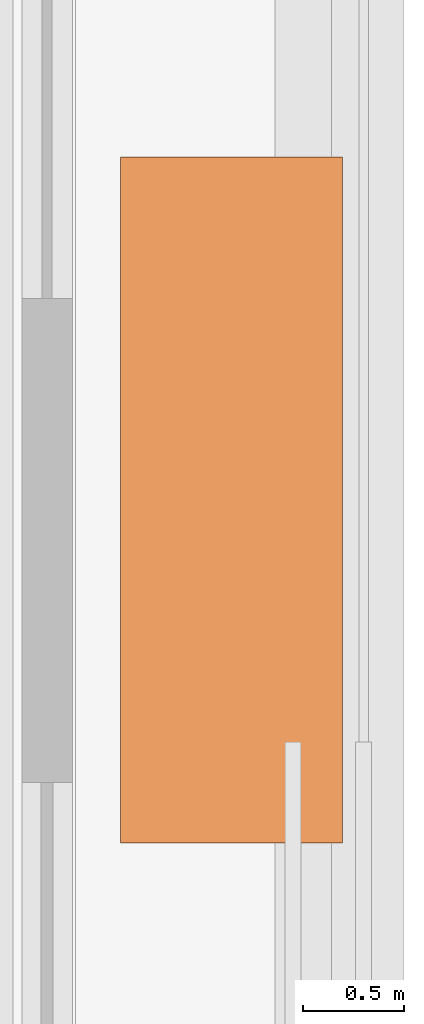
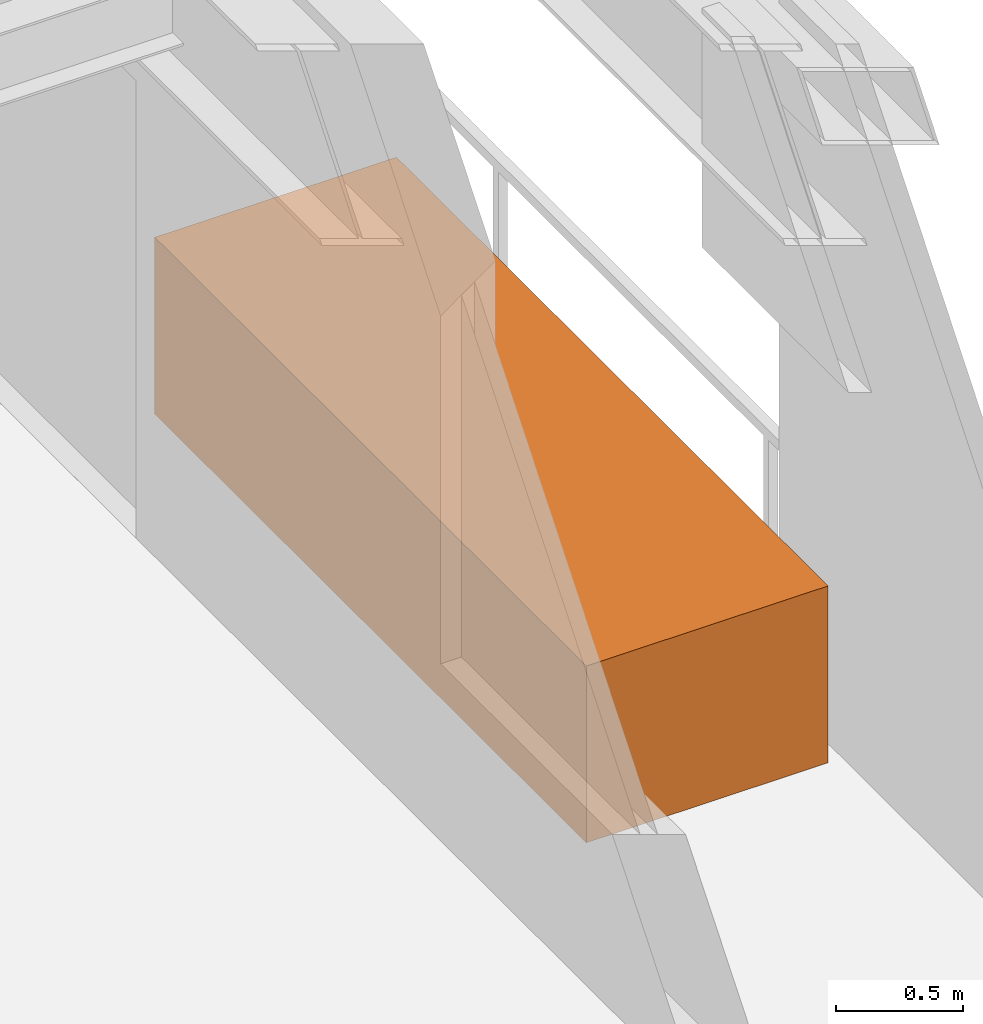
# One storey, part 29 of 29: 1 proxy.
"""IFC4 building model written with IfcOpenShell, lengths in metres."""

from ifc_helpers import new_model, si_unit, direction, frame, origin, origin_2d, place, context, subcontext, project, spatial, rectangle, extrude, material, type_object, element, save


model = new_model("IFC4")

# Units and contexts
model_context = context("Model", 3, precision=1e-05, world=origin(), true_north=direction((0.0, 1.0)))
body_context = subcontext(model_context, "Body", "Model", "MODEL_VIEW")
ifc_project = project(units=[si_unit("LENGTHUNIT", "METRE"), si_unit("AREAUNIT", "SQUARE_METRE"), si_unit("VOLUMEUNIT", "CUBIC_METRE"), si_unit("PLANEANGLEUNIT", "RADIAN"), si_unit("MASSUNIT", "GRAM", prefix="KILO")], contexts=[model_context])

# Site, building, storey
site_placement = place(None, origin())
site = spatial("IfcSite", under=ifc_project, at=site_placement, CompositionType="ELEMENT")
building_placement = place(site_placement, origin())
building = spatial("IfcBuilding", under=site, at=building_placement, Name="Brelmoor Portico Tower", CompositionType="ELEMENT")
storey_placement = place(building_placement, frame((0.0, 0.0, 201.89990234375)))
storey = spatial("IfcBuildingStorey", under=building, at=storey_placement, Name="L53", CompositionType="ELEMENT", Elevation=201.89990234375)

# Proxy
ifc_material = material(Name="Architectural Precast Concrete C40", Category="concrete")
building_element_proxy_type = type_object("IfcBuildingElementProxyType", Name="TREE PLANTER", PredefinedType="USERDEFINED", material=ifc_material)
proxy_placement = place(storey_placement, frame((21.77490234375, -3.39990234375, 0.0), z_axis=(0.0, 0.0, 1.0), x_axis=(0.0, 1.0, 0.0)))
element("IfcBuildingElementProxy", 1, at=proxy_placement, inside=storey, type_object=building_element_proxy_type, Name="L53 Planted Tree Planter E", ObjectType="PLANTER", PredefinedType="USERDEFINED", context=body_context, shape_type="SweptSolid", body=[
    extrude(rectangle(XDim=3.39990234375, YDim=1.10009765625, at=origin_2d()), origin(), (0.0, 0.0, 1.0), 0.85009765625),
])

save(model, "model.ifc")
